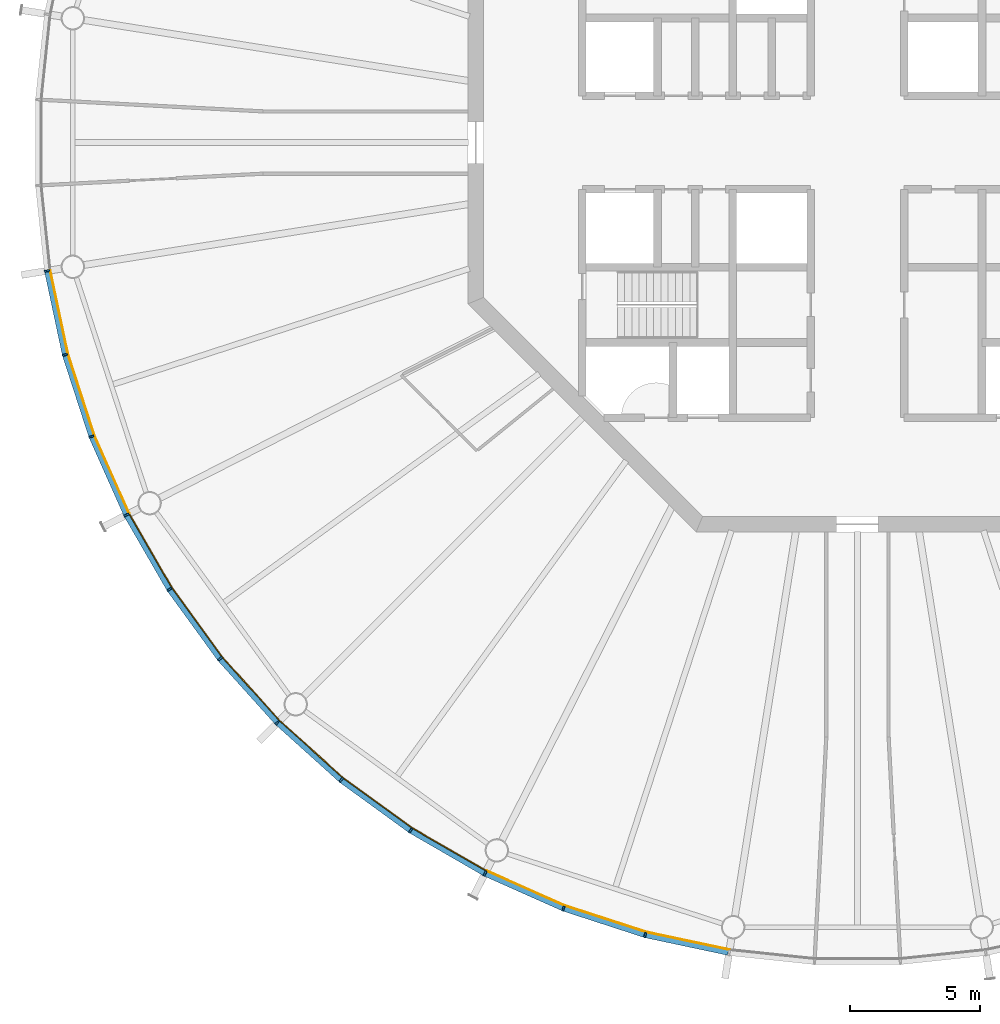
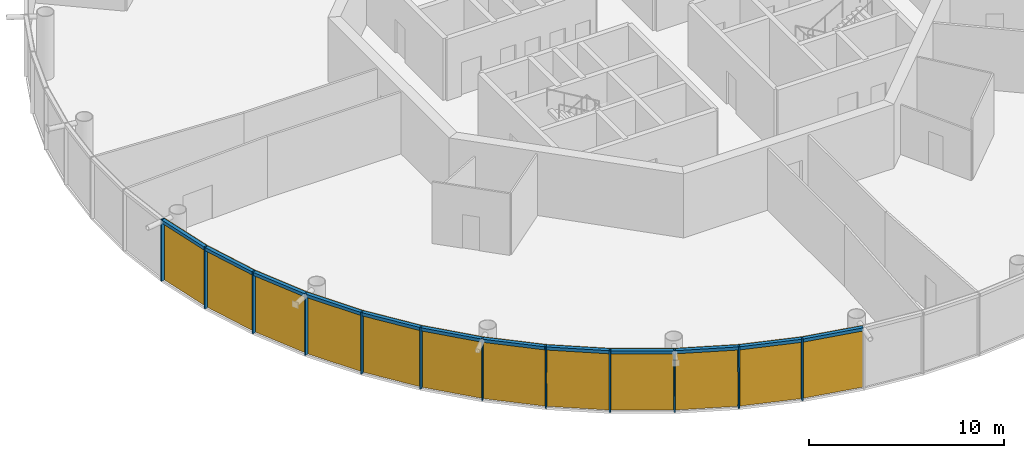
# One storey, part 12 of 18: 24 members, 4 curtain walls.
"""IFC4 building model written with IfcOpenShell, lengths in metres."""

import ifcopenshell
import ifcopenshell.guid

model = None  # the IFC model being written
_history = None  # IfcOwnerHistory: only IFC2X3 demands one
_inside = {}  # id of a spatial element -> (the spatial element, [elements in it])
_under = {}  # id of a project, library or spatial element -> (it, [spatial elements below it])
_declared = {}  # id of a project -> (the project, [libraries it declares])
_typed = {}  # id of a type object -> (the type object, [elements of that type])
_made_of = {}  # id of a material, layer set ... -> (it, [elements and type objects made of it])


def new_model(schema):
    """Start an empty IFC model of exactly this schema.

    Asked for "IFC4X3", IfcOpenShell would pick the latest addendum, in which some entities
    have other attributes; the version numbers below select the first issue.
    IFC2X3 requires an IfcOwnerHistory on every rooted entity: one is made here for all.
    """
    global model, _history
    if schema == "IFC4X3":
        model = ifcopenshell.file(schema_version=(4, 3, 0, 0))
    else:
        model = ifcopenshell.file(schema=schema)
    _inside.clear()
    _under.clear()
    _declared.clear()
    _typed.clear()
    _made_of.clear()
    _history = None
    if model.schema == "IFC2X3":
        org = make("IfcOrganization", Name="unknown")
        user = make(
            "IfcPersonAndOrganization",
            ThePerson=make("IfcPerson", FamilyName="unknown"),
            TheOrganization=org,
        )
        app = make(
            "IfcApplication",
            ApplicationDeveloper=org,
            Version="unknown",
            ApplicationFullName="unknown",
            ApplicationIdentifier="unknown",
        )
        _history = make(
            "IfcOwnerHistory",
            OwningUser=user,
            OwningApplication=app,
            ChangeAction="ADDED",
            CreationDate=0,
        )
    return model


def make(cls, **values):
    """One entity of the class cls with the attributes given. An attribute that is None is left unset."""
    return model.create_entity(
        cls, **{name: value for name, value in values.items() if value is not None}
    )


def rooted(cls, **values):
    """An entity with a GlobalId (a new one), such as an element, a storey or a relation."""
    return make(cls, GlobalId=ifcopenshell.guid.new(), OwnerHistory=_history, **values)


def si_unit(unit_type, name, prefix=None):
    """IfcSIUnit, for example si_unit("LENGTHUNIT", "METRE", prefix="MILLI")."""
    return make("IfcSIUnit", UnitType=unit_type, Prefix=prefix, Name=name)


def assignment(units):
    """IfcUnitAssignment: the units of a project."""
    return None if units is None else make("IfcUnitAssignment", Units=units)


def point(xyz):
    """IfcCartesianPoint."""
    return None if xyz is None else make("IfcCartesianPoint", Coordinates=xyz)


def direction(xyz):
    """IfcDirection."""
    return None if xyz is None else make("IfcDirection", DirectionRatios=xyz)


def frame(location, z_axis=None, x_axis=None):
    """IfcAxis2Placement3D, a coordinate frame: its origin and axes. An axis left out is left unset."""
    return make(
        "IfcAxis2Placement3D",
        Location=point(location),
        Axis=direction(z_axis),
        RefDirection=direction(x_axis),
    )


def frame_2d(location, x_axis=None):
    """IfcAxis2Placement2D, a coordinate frame in the plane: its origin and x axis."""
    return make(
        "IfcAxis2Placement2D", Location=point(location), RefDirection=direction(x_axis)
    )


def origin():
    """The frame at (0, 0, 0) with its axes left unset."""
    return frame((0.0, 0.0, 0.0))


def origin_2d():
    """The frame at (0, 0) in the plane with its x axis left unset."""
    return frame_2d((0.0, 0.0))


def place(relative_to, where):
    """IfcLocalPlacement: puts the frame where relative to a parent placement (None: the world)."""
    return make(
        "IfcLocalPlacement", PlacementRelTo=relative_to, RelativePlacement=where
    )


def context(
    kind, dimensions, precision=None, world=None, true_north=None, identifier=None
):
    """IfcGeometricRepresentationContext, for example the 3D "Model" context."""
    return make(
        "IfcGeometricRepresentationContext",
        ContextIdentifier=identifier,
        ContextType=kind,
        CoordinateSpaceDimension=dimensions,
        Precision=precision,
        WorldCoordinateSystem=world,
        TrueNorth=true_north,
    )


def subcontext(parent, identifier, kind, view, scale=None):
    """IfcGeometricRepresentationSubContext, for example "Body" below "Model"."""
    return make(
        "IfcGeometricRepresentationSubContext",
        ContextIdentifier=identifier,
        ContextType=kind,
        ParentContext=parent,
        TargetScale=scale,
        TargetView=view,
    )


def project(units=None, contexts=None):
    """IfcProject with its units and contexts."""
    return rooted(
        "IfcProject",
        Name="project",
        RepresentationContexts=contexts,
        UnitsInContext=assignment(units),
    )


def spatial(cls, under=None, at=None, **own):
    """A site, building, storey or space (cls), placed at a placement, below another one or the project."""
    s = rooted(cls, ObjectPlacement=at, **own)
    if under is not None:
        _under.setdefault(under.id(), (under, []))[1].append(s)
    return s


def polyline(points):
    """IfcPolyline through the points."""
    return make("IfcPolyline", Points=[point(p) for p in points])


def profile(cls, at=None, kind="AREA", **sizes):
    """A parametric profile (cls). Its sizes go by their IFC names, for example OverallWidth=200.0."""
    return make(cls, ProfileType=kind, Position=at, **sizes)


def rectangle(**sizes):
    """IfcRectangleProfileDef."""
    return profile("IfcRectangleProfileDef", **sizes)


def outline(outer, holes=None, kind="AREA"):
    """IfcArbitraryClosedProfileDef: a profile drawn as a closed curve; with holes, ...WithVoids."""
    if holes is None:
        return make("IfcArbitraryClosedProfileDef", ProfileType=kind, OuterCurve=outer)
    return make(
        "IfcArbitraryProfileDefWithVoids",
        ProfileType=kind,
        OuterCurve=outer,
        InnerCurves=holes,
    )


def extrude(swept, where, along, depth):
    """IfcExtrudedAreaSolid: the profile swept, set in the frame where, extruded along a direction by depth."""
    return make(
        "IfcExtrudedAreaSolid",
        SweptArea=swept,
        Position=where,
        ExtrudedDirection=direction(along),
        Depth=depth,
    )


def shape(context_of_items, identifier, shape_type, items):
    """IfcShapeRepresentation: the items that make up one representation, for example the "Body"."""
    return make(
        "IfcShapeRepresentation",
        ContextOfItems=context_of_items,
        RepresentationIdentifier=identifier,
        RepresentationType=shape_type,
        Items=items,
    )


def material(Name=None, Category=None):
    """IfcMaterial."""
    return make("IfcMaterial", Name=Name, Category=Category)


def layer(
    of_material, thickness, ventilated=None, Name=None, Category=None, Priority=None
):
    """IfcMaterialLayer: one layer of a wall or slab, of a material (None: an air gap)."""
    return make(
        "IfcMaterialLayer",
        Material=of_material,
        LayerThickness=thickness,
        IsVentilated=ventilated,
        Name=Name,
        Category=Category,
        Priority=Priority,
    )


def layer_set(layers, Name=None):
    """IfcMaterialLayerSet."""
    return make("IfcMaterialLayerSet", MaterialLayers=layers, LayerSetName=Name)


def material_profile(
    of_material, cross_section, Name=None, Category=None, Priority=None
):
    """IfcMaterialProfile: a cross section and its material."""
    return make(
        "IfcMaterialProfile",
        Name=Name,
        Material=of_material,
        Profile=cross_section,
        Priority=Priority,
        Category=Category,
    )


def profile_set(profiles, Name=None, composite=None):
    """IfcMaterialProfileSet."""
    return make(
        "IfcMaterialProfileSet",
        Name=Name,
        MaterialProfiles=profiles,
        CompositeProfile=composite,
    )


def made_of(thing, what):
    """Note that an element or type object is made of a material, layer set ...; save() writes the relation."""
    if what is not None:
        _made_of.setdefault(what.id(), (what, []))[1].append(thing)
    return thing


def type_object(cls, material=None, **own):
    """A type object (cls), such as IfcWallType, which elements share."""
    return made_of(rooted(cls, **own), material)


def element(
    cls,
    number,
    at=None,
    inside=None,
    cuts=None,
    type_object=None,
    material=None,
    context=None,
    identifier="Body",
    shape_type=None,
    held_by="IfcProductDefinitionShape",
    body=None,
    shapes=None,
    **own,
):
    """One element of the class cls, such as IfcWall. Its Tag is "e" and its number.

    at: its placement. inside: the storey or other place that contains it. cuts: it is an
    opening in that element (IfcRelVoidsElement). A single representation is given by context,
    identifier, shape_type and body (its items); several are given by shapes. held_by: the class
    of the entity that holds the representations. save() writes the other relations.
    """
    e = rooted(cls, Tag="e%d" % number, ObjectPlacement=at, **own)
    if body is not None:
        shapes = [shape(context, identifier, shape_type, body)]
    if shapes is not None:
        e.Representation = make(held_by, Representations=shapes)
    if inside is not None:
        _inside.setdefault(inside.id(), (inside, []))[1].append(e)
    if cuts is not None:
        rooted(
            "IfcRelVoidsElement", RelatingBuildingElement=cuts, RelatedOpeningElement=e
        )
    if type_object is not None:
        _typed.setdefault(type_object.id(), (type_object, []))[1].append(e)
    return made_of(e, material)


def aggregate(whole, parts):
    """IfcRelAggregates: a whole, such as a stair, and the parts it consists of."""
    return rooted("IfcRelAggregates", RelatingObject=whole, RelatedObjects=parts)


def save(model, path):
    """Write the relations noted so far, then the file.

    IfcRelAggregates (storeys below a building ...), IfcRelContainedInSpatialStructure (elements
    in a storey), IfcRelDefinesByType, IfcRelAssociatesMaterial and IfcRelDeclares: one each for
    every whole, place, type object, material and project.
    """
    for whole, parts in _under.values():
        aggregate(whole, parts)
    for where, things in _inside.values():
        rooted(
            "IfcRelContainedInSpatialStructure",
            RelatedElements=things,
            RelatingStructure=where,
        )
    for kind, things in _typed.values():
        rooted("IfcRelDefinesByType", RelatedObjects=things, RelatingType=kind)
    for what, things in _made_of.values():
        rooted("IfcRelAssociatesMaterial", RelatedObjects=things, RelatingMaterial=what)
    for by, libraries in _declared.values():
        rooted("IfcRelDeclares", RelatingContext=by, RelatedDefinitions=libraries)
    model.write(path)


model = new_model("IFC4")

# Units and contexts
model_context = context("Model", 3, precision=1e-05, world=origin(), true_north=direction((0.0, 1.0)))
body_context = subcontext(model_context, "Body", "Model", "MODEL_VIEW")
ifc_project = project(units=[si_unit("LENGTHUNIT", "METRE"), si_unit("AREAUNIT", "SQUARE_METRE"), si_unit("VOLUMEUNIT", "CUBIC_METRE"), si_unit("PLANEANGLEUNIT", "RADIAN"), si_unit("MASSUNIT", "GRAM", prefix="KILO")], contexts=[model_context])

# Member
ifc_material_1 = material(Name="Anodised aluminium", Category="aluminium")
ifc_material_profile_1 = material_profile(ifc_material_1, rectangle(XDim=0.070068359375, YDim=0.205078125, at=origin_2d()), Name="Mullion 70 x 205 mm anodised aluminium")
ifc_profile_set_1 = profile_set([ifc_material_profile_1], Name="Anodised aluminium")
member_type_1 = type_object("IfcMemberType", Name="Mullion 70 x 205 mm anodised aluminium", PredefinedType="MULLION", material=ifc_profile_set_1)
site_placement = place(None, origin())
building_placement = place(site_placement, origin())
storey_placement = place(building_placement, frame((0.0, 0.0, 352.0)))
member_1_placement = place(storey_placement, frame((58.78662109375, 75.056396484375, 0.0), z_axis=(0.0, 0.0, 1.0), x_axis=(0.15643446504, -0.987688340595, 0.0)))
member_1 = element("IfcMember", 1, at=member_1_placement, type_object=member_type_1, Name="MULLION L81-30", PredefinedType="MULLION", context=body_context, shape_type="SweptSolid", body=[
    extrude(rectangle(XDim=0.070068359375, YDim=0.205078125, at=origin_2d()), origin(), (0.0, 0.0, 1.0), 3.85009765625),
])

member_2_placement = place(storey_placement, frame((59.474365234375, 71.820556640625, 0.0), z_axis=(0.0, 0.0, 1.0), x_axis=(0.258819045103, -0.965925826289, 0.0)))
member_2 = element("IfcMember", 2, at=member_2_placement, type_object=member_type_1, Name="MULLION L81-31", PredefinedType="MULLION", context=body_context, shape_type="SweptSolid", body=[
    extrude(rectangle(XDim=0.070068359375, YDim=0.205078125, at=origin_2d()), origin(), (0.0, 0.0, 1.0), 3.85009765625),
])

member_3_placement = place(storey_placement, frame((60.49658203125, 68.674560546875, 0.0), z_axis=(0.0, 0.0, 1.0), x_axis=(0.358367949545, -0.933580426497, 0.0)))
member_3 = element("IfcMember", 3, at=member_3_placement, type_object=member_type_1, Name="MULLION L81-32", PredefinedType="MULLION", context=body_context, shape_type="SweptSolid", body=[
    extrude(rectangle(XDim=0.070068359375, YDim=0.205078125, at=origin_2d()), origin(), (0.0, 0.0, 1.0), 3.85009765625),
])

member_4_placement = place(storey_placement, frame((61.842041015625, 65.65283203125, 0.0), z_axis=(0.0, 0.0, 1.0), x_axis=(0.45399049974, -0.891006524188, 0.0)))
member_4 = element("IfcMember", 4, at=member_4_placement, type_object=member_type_1, Name="MULLION L81-33", PredefinedType="MULLION", context=body_context, shape_type="SweptSolid", body=[
    extrude(rectangle(XDim=0.070068359375, YDim=0.205078125, at=origin_2d()), origin(), (0.0, 0.0, 1.0), 3.85009765625),
])

member_5_placement = place(storey_placement, frame((63.495849609375, 62.7880859375, 0.0), z_axis=(0.0, 0.0, 1.0), x_axis=(0.544639035015, -0.838670567945, 0.0)))
member_5 = element("IfcMember", 5, at=member_5_placement, type_object=member_type_1, Name="MULLION L81-34", PredefinedType="MULLION", context=body_context, shape_type="SweptSolid", body=[
    extrude(rectangle(XDim=0.070068359375, YDim=0.205078125, at=origin_2d()), origin(), (0.0, 0.0, 1.0), 3.85009765625),
])

member_6_placement = place(storey_placement, frame((65.440185546875, 60.11181640625, 0.0), z_axis=(0.0, 0.0, 1.0), x_axis=(0.62932039105, -0.777145961457, 0.0)))
member_6 = element("IfcMember", 6, at=member_6_placement, type_object=member_type_1, Name="MULLION L81-35", PredefinedType="MULLION", context=body_context, shape_type="SweptSolid", body=[
    extrude(rectangle(XDim=0.070068359375, YDim=0.205078125, at=origin_2d()), origin(), (0.0, 0.0, 1.0), 3.85009765625),
])

member_7_placement = place(storey_placement, frame((67.653564453125, 57.653564453125, 0.0), z_axis=(0.0, 0.0, 1.0), x_axis=(0.707106781187, -0.707106781187, 0.0)))
member_7 = element("IfcMember", 7, at=member_7_placement, type_object=member_type_1, Name="MULLION L81-36", PredefinedType="MULLION", context=body_context, shape_type="SweptSolid", body=[
    extrude(rectangle(XDim=0.070068359375, YDim=0.205078125, at=origin_2d()), origin(), (0.0, 0.0, 1.0), 3.85009765625),
])

member_8_placement = place(storey_placement, frame((70.11181640625, 55.440185546875, 0.0), z_axis=(0.0, 0.0, 1.0), x_axis=(0.777145961457, -0.62932039105, 0.0)))
member_8 = element("IfcMember", 8, at=member_8_placement, type_object=member_type_1, Name="MULLION L81-37", PredefinedType="MULLION", context=body_context, shape_type="SweptSolid", body=[
    extrude(rectangle(XDim=0.070068359375, YDim=0.205078125, at=origin_2d()), origin(), (0.0, 0.0, 1.0), 3.85009765625),
])

member_9_placement = place(storey_placement, frame((72.7880859375, 53.495849609375, 0.0), z_axis=(0.0, 0.0, 1.0), x_axis=(0.838670567945, -0.544639035015, 0.0)))
member_9 = element("IfcMember", 9, at=member_9_placement, type_object=member_type_1, Name="MULLION L81-38", PredefinedType="MULLION", context=body_context, shape_type="SweptSolid", body=[
    extrude(rectangle(XDim=0.070068359375, YDim=0.205078125, at=origin_2d()), origin(), (0.0, 0.0, 1.0), 3.85009765625),
])

member_10_placement = place(storey_placement, frame((75.65283203125, 51.842041015625, 0.0), z_axis=(0.0, 0.0, 1.0), x_axis=(0.891006524188, -0.45399049974, 0.0)))
member_10 = element("IfcMember", 10, at=member_10_placement, type_object=member_type_1, Name="MULLION L81-39", PredefinedType="MULLION", context=body_context, shape_type="SweptSolid", body=[
    extrude(rectangle(XDim=0.070068359375, YDim=0.205078125, at=origin_2d()), origin(), (0.0, 0.0, 1.0), 3.85009765625),
])

member_11_placement = place(storey_placement, frame((78.674560546875, 50.49658203125, 0.0), z_axis=(0.0, 0.0, 1.0), x_axis=(0.933580426497, -0.358367949545, 0.0)))
member_11 = element("IfcMember", 11, at=member_11_placement, type_object=member_type_1, Name="MULLION L81-40", PredefinedType="MULLION", context=body_context, shape_type="SweptSolid", body=[
    extrude(rectangle(XDim=0.070068359375, YDim=0.205078125, at=origin_2d()), origin(), (0.0, 0.0, 1.0), 3.85009765625),
])

member_12_placement = place(storey_placement, frame((81.820556640625, 49.474365234375, 0.0), z_axis=(0.0, 0.0, 1.0), x_axis=(0.965925826289, -0.258819045103, 0.0)))
member_12 = element("IfcMember", 12, at=member_12_placement, type_object=member_type_1, Name="MULLION L81-41", PredefinedType="MULLION", context=body_context, shape_type="SweptSolid", body=[
    extrude(rectangle(XDim=0.070068359375, YDim=0.205078125, at=origin_2d()), origin(), (0.0, 0.0, 1.0), 3.85009765625),
])

ifc_material_2 = material(Name="Anodised aluminium", Category="aluminium")
ifc_material_profile_2 = material_profile(ifc_material_2, rectangle(XDim=0.205078125, YDim=0.195068359375, at=origin_2d()), Name="Transom 195 x 205 mm anodised aluminium")
ifc_profile_set_2 = profile_set([ifc_material_profile_2], Name="Anodised aluminium")
member_type_2 = type_object("IfcMemberType", Name="Transom 195 x 205 mm anodised aluminium", PredefinedType="USERDEFINED", material=ifc_profile_set_2)
member_13_placement = place(storey_placement, frame((58.794921875, 75.016845703125, 3.75244140625), z_axis=(0.207885898771, -0.978153082647, 0.0), x_axis=(0.978153082647, 0.207885898771, 0.0)))
member_13 = element("IfcMember", 13, at=member_13_placement, type_object=member_type_2, Name="TRANSOM L81-30", ObjectType="TRANSOM", PredefinedType="USERDEFINED", context=body_context, shape_type="SweptSolid", body=[
    extrude(rectangle(XDim=0.205078125, YDim=0.195068359375, at=origin_2d()), origin(), (0.0, 0.0, 1.0), 3.227294921875),
])

member_14_placement = place(storey_placement, frame((59.486572265625, 71.7822265625, 3.75244140625), z_axis=(0.309046726844, -0.951046855117, 0.0), x_axis=(0.951046855117, 0.309046726844, 0.0)))
member_14 = element("IfcMember", 14, at=member_14_placement, type_object=member_type_2, Name="TRANSOM L81-31", ObjectType="TRANSOM", PredefinedType="USERDEFINED", context=body_context, shape_type="SweptSolid", body=[
    extrude(rectangle(XDim=0.205078125, YDim=0.195068359375, at=origin_2d()), origin(), (0.0, 0.0, 1.0), 3.22705078125),
])

member_15_placement = place(storey_placement, frame((60.5126953125, 68.6376953125, 3.75244140625), z_axis=(0.406791170024, -0.913521178731, 0.0), x_axis=(0.913521178731, 0.406791170024, 0.0)))
member_15 = element("IfcMember", 15, at=member_15_placement, type_object=member_type_2, Name="TRANSOM L81-32", ObjectType="TRANSOM", PredefinedType="USERDEFINED", context=body_context, shape_type="SweptSolid", body=[
    extrude(rectangle(XDim=0.205078125, YDim=0.195068359375, at=origin_2d()), origin(), (0.0, 0.0, 1.0), 3.22705078125),
])

member_16_placement = place(storey_placement, frame((61.862060546875, 65.61767578125, 3.75244140625), z_axis=(0.500004055213, -0.866023062494, 0.0), x_axis=(0.866023062494, 0.500004055213, 0.0)))
member_16 = element("IfcMember", 16, at=member_16_placement, type_object=member_type_2, Name="TRANSOM L81-33", ObjectType="TRANSOM", PredefinedType="USERDEFINED", context=body_context, shape_type="SweptSolid", body=[
    extrude(rectangle(XDim=0.205078125, YDim=0.195068359375, at=origin_2d()), origin(), (0.0, 0.0, 1.0), 3.22705078125),
])

member_17_placement = place(storey_placement, frame((63.51953125, 62.75537109375, 3.75244140625), z_axis=(0.587802790201, -0.809004252048, 0.0), x_axis=(0.809004252048, 0.587802790201, 0.0)))
member_17 = element("IfcMember", 17, at=member_17_placement, type_object=member_type_2, Name="TRANSOM L81-34", ObjectType="TRANSOM", PredefinedType="USERDEFINED", context=body_context, shape_type="SweptSolid", body=[
    extrude(rectangle(XDim=0.205078125, YDim=0.195068359375, at=origin_2d()), origin(), (0.0, 0.0, 1.0), 3.227294921875),
])

member_18_placement = place(storey_placement, frame((65.467041015625, 60.081787109375, 3.75244140625), z_axis=(0.669144438484, -0.743132370743, 0.0), x_axis=(0.743132370743, 0.669144438484, 0.0)))
member_18 = element("IfcMember", 18, at=member_18_placement, type_object=member_type_2, Name="TRANSOM L81-35", ObjectType="TRANSOM", PredefinedType="USERDEFINED", context=body_context, shape_type="SweptSolid", body=[
    extrude(rectangle(XDim=0.205078125, YDim=0.195068359375, at=origin_2d()), origin(), (0.0, 0.0, 1.0), 3.22705078125),
])

member_19_placement = place(storey_placement, frame((67.68359375, 57.62646484375, 3.75244140625), z_axis=(0.743132370743, -0.669144438484, 0.0), x_axis=(0.669144438484, 0.743132370743, 0.0)))
member_19 = element("IfcMember", 19, at=member_19_placement, type_object=member_type_2, Name="TRANSOM L81-36", ObjectType="TRANSOM", PredefinedType="USERDEFINED", context=body_context, shape_type="SweptSolid", body=[
    extrude(rectangle(XDim=0.205078125, YDim=0.195068359375, at=origin_2d()), origin(), (0.0, 0.0, 1.0), 3.22705078125),
])

member_20_placement = place(storey_placement, frame((70.14453125, 55.41650390625, 3.75244140625), z_axis=(0.809004252048, -0.587802790201, 0.0), x_axis=(0.587802790201, 0.809004252048, 0.0)))
member_20 = element("IfcMember", 20, at=member_20_placement, type_object=member_type_2, Name="TRANSOM L81-37", ObjectType="TRANSOM", PredefinedType="USERDEFINED", context=body_context, shape_type="SweptSolid", body=[
    extrude(rectangle(XDim=0.205078125, YDim=0.195068359375, at=origin_2d()), origin(), (0.0, 0.0, 1.0), 3.227294921875),
])

member_21_placement = place(storey_placement, frame((72.822998046875, 53.4755859375, 3.75244140625), z_axis=(0.866023062494, -0.500004055213, 0.0), x_axis=(0.500004055213, 0.866023062494, 0.0)))
member_21 = element("IfcMember", 21, at=member_21_placement, type_object=member_type_2, Name="TRANSOM L81-38", ObjectType="TRANSOM", PredefinedType="USERDEFINED", context=body_context, shape_type="SweptSolid", body=[
    extrude(rectangle(XDim=0.205078125, YDim=0.195068359375, at=origin_2d()), origin(), (0.0, 0.0, 1.0), 3.22705078125),
])

member_22_placement = place(storey_placement, frame((75.689697265625, 51.825439453125, 3.75244140625), z_axis=(0.913521178731, -0.406791170024, 0.0), x_axis=(0.406791170024, 0.913521178731, 0.0)))
member_22 = element("IfcMember", 22, at=member_22_placement, type_object=member_type_2, Name="TRANSOM L81-39", ObjectType="TRANSOM", PredefinedType="USERDEFINED", context=body_context, shape_type="SweptSolid", body=[
    extrude(rectangle(XDim=0.205078125, YDim=0.195068359375, at=origin_2d()), origin(), (0.0, 0.0, 1.0), 3.22705078125),
])

member_23_placement = place(storey_placement, frame((78.713134765625, 50.48388671875, 3.75244140625), z_axis=(0.951046855117, -0.309046726844, 0.0), x_axis=(0.309046726844, 0.951046855117, 0.0)))
member_23 = element("IfcMember", 23, at=member_23_placement, type_object=member_type_2, Name="TRANSOM L81-40", ObjectType="TRANSOM", PredefinedType="USERDEFINED", context=body_context, shape_type="SweptSolid", body=[
    extrude(rectangle(XDim=0.205078125, YDim=0.195068359375, at=origin_2d()), origin(), (0.0, 0.0, 1.0), 3.22705078125),
])

member_24_placement = place(storey_placement, frame((81.860107421875, 49.4658203125, 3.75244140625), z_axis=(0.978153082647, -0.207885898771, 0.0), x_axis=(0.207885898771, 0.978153082647, 0.0)))
member_24 = element("IfcMember", 24, at=member_24_placement, type_object=member_type_2, Name="TRANSOM L81-41", ObjectType="TRANSOM", PredefinedType="USERDEFINED", context=body_context, shape_type="SweptSolid", body=[
    extrude(rectangle(XDim=0.205078125, YDim=0.195068359375, at=origin_2d()), origin(), (0.0, 0.0, 1.0), 3.227294921875),
])

# Site, building, storey
site = spatial("IfcSite", under=ifc_project, at=site_placement, CompositionType="ELEMENT")
building = spatial("IfcBuilding", under=site, at=building_placement, Name="Entoto Ring Tower", CompositionType="ELEMENT")
storey = spatial("IfcBuildingStorey", under=building, at=storey_placement, Name="L81", CompositionType="ELEMENT", Elevation=352.0)

# Curtain wall
ifc_material_3 = material(Name="Clear low-iron glass", Category="glass")
ifc_layer = layer(ifc_material_3, 0.035888671875)
ifc_layer_set = layer_set([ifc_layer], Name="Clear low-iron glass")
curtain_wall_type = type_object("IfcCurtainWallType", Name="Curtain wall system CW6 glazing 36 mm", PredefinedType="NOTDEFINED", material=ifc_layer_set)
curtain_wall_1_placement = place(storey_placement, origin())
curtain_wall_1 = element("IfcCurtainWall", 25, at=curtain_wall_1_placement, inside=storey, type_object=curtain_wall_type, Name="CW6 L81-11", PredefinedType="NOTDEFINED", context=body_context, shape_type="SweptSolid", body=[
    extrude(outline(polyline([(58.8876953125, 75.072265625), (59.5732421875, 71.84716796875), (60.59228515625, 68.71142578125), (61.933349609375, 65.69921875), (61.96533203125, 65.715576171875), (60.6259765625, 68.724365234375), (59.608154296875, 71.8564453125), (58.92333984375, 75.077880859375), (58.8876953125, 75.072265625)])), origin(), (0.0, 0.0, 1.0), 3.85009765625),
])

aggregate(curtain_wall_1, [member_1, member_2, member_3, member_13, member_14, member_15])

curtain_wall_2_placement = place(storey_placement, origin())
curtain_wall_2 = element("IfcCurtainWall", 26, at=curtain_wall_2_placement, inside=storey, type_object=curtain_wall_type, Name="CW6 L81-12", PredefinedType="NOTDEFINED", context=body_context, shape_type="SweptSolid", body=[
    extrude(outline(polyline([(61.933349609375, 65.69921875), (63.581787109375, 62.84375), (65.52001953125, 60.176513671875), (67.72607421875, 57.72607421875), (67.751708984375, 57.751708984375), (65.5478515625, 60.198974609375), (63.612060546875, 62.863525390625), (61.96533203125, 65.715576171875), (61.933349609375, 65.69921875)])), origin(), (0.0, 0.0, 1.0), 3.85009765625),
])

aggregate(curtain_wall_2, [member_4, member_5, member_6, member_16, member_17, member_18])

curtain_wall_3_placement = place(storey_placement, origin())
curtain_wall_3 = element("IfcCurtainWall", 27, at=curtain_wall_3_placement, inside=storey, type_object=curtain_wall_type, Name="CW6 L81-13", PredefinedType="NOTDEFINED", context=body_context, shape_type="SweptSolid", body=[
    extrude(outline(polyline([(67.72607421875, 57.72607421875), (70.176513671875, 55.52001953125), (72.84375, 53.581787109375), (75.69921875, 51.933349609375), (75.715576171875, 51.96533203125), (72.863525390625, 53.612060546875), (70.198974609375, 55.5478515625), (67.751708984375, 57.751708984375), (67.72607421875, 57.72607421875)])), origin(), (0.0, 0.0, 1.0), 3.85009765625),
])

aggregate(curtain_wall_3, [member_7, member_8, member_9, member_19, member_20, member_21])

curtain_wall_4_placement = place(storey_placement, origin())
curtain_wall_4 = element("IfcCurtainWall", 28, at=curtain_wall_4_placement, inside=storey, type_object=curtain_wall_type, Name="CW6 L81-14", PredefinedType="NOTDEFINED", context=body_context, shape_type="SweptSolid", body=[
    extrude(outline(polyline([(75.69921875, 51.933349609375), (78.71142578125, 50.59228515625), (81.84716796875, 49.5732421875), (85.072265625, 48.8876953125), (85.077880859375, 48.92333984375), (81.8564453125, 49.608154296875), (78.724365234375, 50.6259765625), (75.715576171875, 51.96533203125), (75.69921875, 51.933349609375)])), origin(), (0.0, 0.0, 1.0), 3.85009765625),
])

aggregate(curtain_wall_4, [member_10, member_11, member_12, member_22, member_23, member_24])

save(model, "model.ifc")
